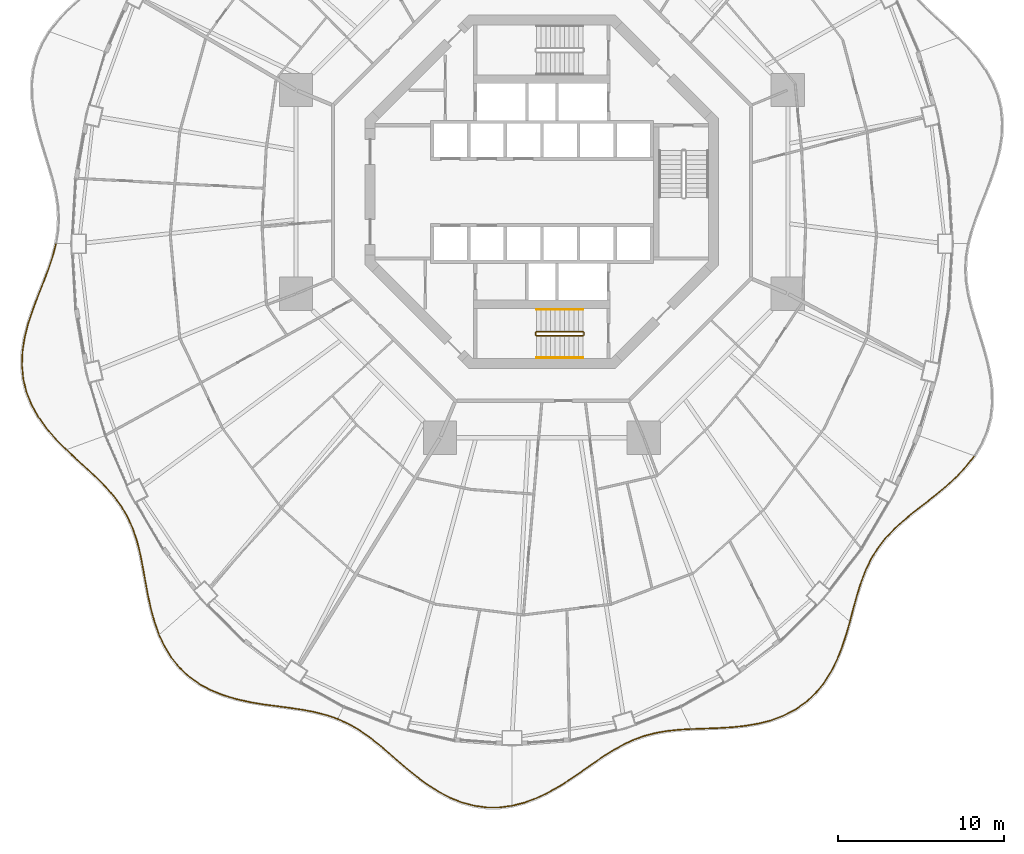
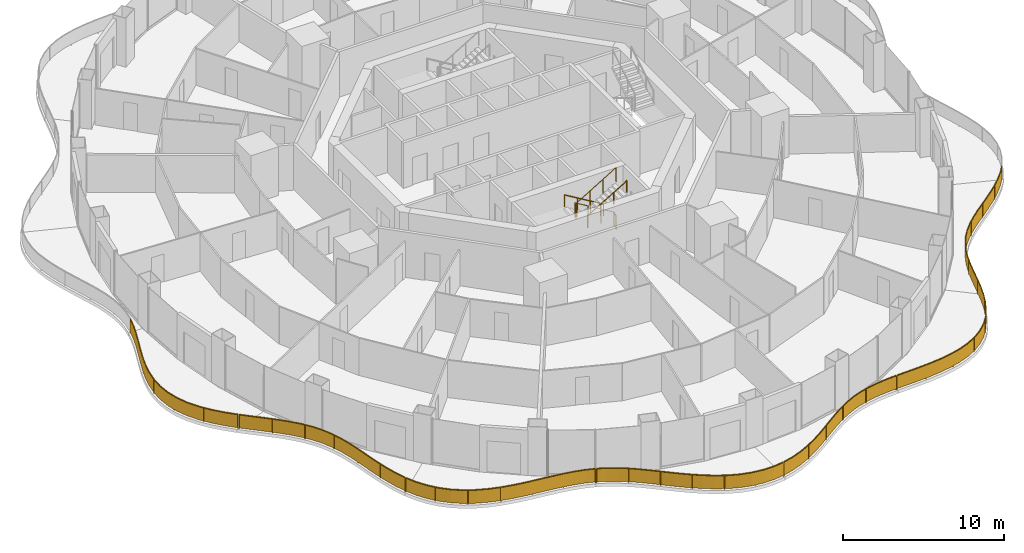
# One storey, part 19 of 21: 10 railings.
"""IFC4 building model written with IfcOpenShell, lengths in metres."""

from ifc_helpers import new_model, si_unit, direction, frame, origin, origin_2d, place, context, subcontext, project, spatial, polyline, rectangle, circle, outline, extrude, material, type_object, element, save


model = new_model("IFC4")

# Units and contexts
model_context = context("Model", 3, precision=1e-05, world=origin(), true_north=direction((0.0, 1.0)))
body_context = subcontext(model_context, "Body", "Model", "MODEL_VIEW")
ifc_project = project(units=[si_unit("LENGTHUNIT", "METRE"), si_unit("AREAUNIT", "SQUARE_METRE"), si_unit("VOLUMEUNIT", "CUBIC_METRE"), si_unit("PLANEANGLEUNIT", "RADIAN"), si_unit("MASSUNIT", "GRAM", prefix="KILO")], contexts=[model_context])

# Site, building, storey
site_placement = place(None, origin())
site = spatial("IfcSite", under=ifc_project, at=site_placement, CompositionType="ELEMENT")
building_placement = place(site_placement, origin())
building = spatial("IfcBuilding", under=site, at=building_placement, Name="Nagisa Residences", CompositionType="ELEMENT")
storey_placement = place(building_placement, frame((0.0, 0.0, 138.10009765625)))
storey = spatial("IfcBuildingStorey", under=building, at=storey_placement, Name="L34", CompositionType="ELEMENT", Elevation=138.10009765625)

# Railings
ifc_material_1 = material(Name="Stainless steel 316", Category="steel")
railing_type_1 = type_object("IfcRailingType", Name="BALCONY GUARD 1100", PredefinedType="BALUSTRADE", material=ifc_material_1)
railing_1_placement = place(storey_placement, frame((-29.2158203125, -3.15185546875, 0.0)))
element("IfcRailing", 1, at=railing_1_placement, inside=storey, type_object=railing_type_1, Name="guard:L34:bal08-0", PredefinedType="BALUSTRADE", context=body_context, shape_type="SweptSolid", body=[
    extrude(outline(polyline([(-0.166015625, -0.728515625), (0.024169921875, -0.00634765625), (-0.024169921875, 0.00634765625), (-0.2138671875, -0.71435546875), (-0.473876953125, -1.4873046875), (-0.775146484375, -2.276611328125), (-1.09375, -3.0830078125), (-1.404052734375, -3.906005859375), (-1.68115234375, -4.728515625), (-1.89697265625, -5.5732421875), (-2.0302734375, -6.41943359375), (-2.064697265625, -7.25927734375), (-1.987548828125, -8.083984375), (-1.798095703125, -8.8720703125), (-1.4912109375, -9.643798828125), (-1.0791015625, -10.38037109375), (-0.576904296875, -11.079833984375), (-0.004150390625, -11.742431640625), (0.585693359375, -12.337890625), (0.621337890625, -12.302734375), (0.032470703125, -11.708251953125), (-0.537353515625, -11.048583984375), (-1.03662109375, -10.353515625), (-1.44580078125, -9.622314453125), (-1.750244140625, -8.85693359375), (-1.938232421875, -8.07568359375), (-2.014404296875, -7.2578125), (-1.98046875, -6.42431640625), (-1.84765625, -5.58349609375), (-1.63330078125, -4.74267578125), (-1.356689453125, -3.922607421875), (-1.046875, -3.10107421875), (-0.728271484375, -2.294677734375), (-0.427001953125, -1.50439453125), (-0.166015625, -0.728515625)])), frame((0.0, 0.0, 1.050048828125)), (0.0, 0.0, 1.0), 0.050048828125),
    extrude(outline(polyline([(-0.183349609375, -0.723388671875), (0.0068359375, -0.001708984375), (-0.0068359375, 0.001708984375), (-0.196533203125, -0.719482421875), (-0.45703125, -1.493408203125), (-0.75830078125, -2.283203125), (-1.076904296875, -3.089599609375), (-1.386962890625, -3.911865234375), (-1.6640625, -4.733642578125), (-1.879150390625, -5.576904296875), (-2.012451171875, -6.421142578125), (-2.046630859375, -7.2587890625), (-1.9697265625, -8.0810546875), (-1.78076171875, -8.86669921875), (-1.474853515625, -9.635986328125), (-1.063720703125, -10.37060546875), (-0.562744140625, -11.068603515625), (0.009033203125, -11.72998046875), (0.5986328125, -12.3251953125), (0.6083984375, -12.3154296875), (0.019287109375, -11.720703125), (-0.551513671875, -11.059814453125), (-1.052001953125, -10.36328125), (-1.462158203125, -9.630126953125), (-1.767578125, -8.8623046875), (-1.9560546875, -8.07861328125), (-2.032470703125, -7.25830078125), (-1.998291015625, -6.422607421875), (-1.865478515625, -5.579833984375), (-1.650390625, -4.737548828125), (-1.373779296875, -3.916748046875), (-1.063720703125, -3.094482421875), (-0.7451171875, -2.2880859375), (-0.44384765625, -1.498291015625), (-0.183349609375, -0.723388671875)])), frame((0.0, 0.0, 0.06005859375)), (0.0, 0.0, 1.0), 0.989990234375),
    extrude(rectangle(XDim=0.0400390625, YDim=0.0400390625, at=origin_2d()), origin(), (0.0, 0.0, 1.0), 1.050048828125),
    extrude(rectangle(XDim=0.0400390625, YDim=0.0400390625, at=origin_2d()), frame((-0.6923828125, -2.130126953125, 0.0)), (0.0, 0.0, 1.0), 1.050048828125),
    extrude(rectangle(XDim=0.0400390625, YDim=0.0400390625, at=origin_2d()), frame((-1.485595703125, -4.226806640625, 0.0)), (0.0, 0.0, 1.0), 1.050048828125),
    extrude(rectangle(XDim=0.0400390625, YDim=0.0400390625, at=origin_2d()), frame((-2.00244140625, -6.4033203125, 0.0)), (0.0, 0.0, 1.0), 1.050048828125),
    extrude(rectangle(XDim=0.0400390625, YDim=0.0400390625, at=origin_2d()), frame((-1.831787109375, -8.625244140625, 0.0)), (0.0, 0.0, 1.0), 1.050048828125),
    extrude(rectangle(XDim=0.0400390625, YDim=0.0400390625, at=origin_2d()), frame((-0.86669921875, -10.633056640625, 0.0)), (0.0, 0.0, 1.0), 1.050048828125),
    extrude(rectangle(XDim=0.0400390625, YDim=0.0400390625, at=origin_2d()), frame((0.603515625, -12.3203125, 0.0)), (0.0, 0.0, 1.0), 1.050048828125),
])
railing_2_placement = place(storey_placement, frame((-28.55615234375, -15.524658203125, 0.0)))
element("IfcRailing", 2, at=railing_2_placement, inside=storey, type_object=railing_type_1, Name="guard:L34:bal09-0", PredefinedType="BALUSTRADE", context=body_context, shape_type="SweptSolid", body=[
    extrude(outline(polyline([(0.607666015625, -0.533203125), (0.01708984375, 0.018310546875), (-0.01708984375, -0.018310546875), (0.573486328125, -0.56982421875), (1.19384765625, -1.13720703125), (1.791259765625, -1.697021484375), (2.347412109375, -2.26025390625), (2.84765625, -2.837158203125), (3.2763671875, -3.4248046875), (3.64306640625, -4.057861328125), (3.94287109375, -4.729248046875), (4.18359375, -5.442626953125), (4.37646484375, -6.197265625), (4.529052734375, -6.9765625), (4.6767578125, -7.79736328125), (4.830810546875, -8.63623046875), (5.01171875, -9.47900390625), (5.237548828125, -10.310302734375), (5.5068359375, -11.06884765625), (5.55419921875, -11.05224609375), (5.285400390625, -10.295166015625), (5.060546875, -9.46728515625), (4.880126953125, -8.62646484375), (4.72607421875, -7.78857421875), (4.578369140625, -6.96728515625), (4.42529296875, -6.18603515625), (4.2314453125, -5.428466796875), (3.98974609375, -4.711181640625), (3.6875, -4.034912109375), (3.318359375, -3.3974609375), (2.88671875, -2.805908203125), (2.384033203125, -2.22607421875), (1.826416015625, -1.661376953125), (1.22802734375, -1.1005859375), (0.607666015625, -0.533203125)])), frame((0.0, 0.0, 1.050048828125)), (0.0, 0.0, 1.0), 0.050048828125),
    extrude(outline(polyline([(0.59521484375, -0.54638671875), (0.0048828125, 0.005126953125), (-0.0048828125, -0.005126953125), (0.5859375, -0.556640625), (1.206298828125, -1.1240234375), (1.803955078125, -1.684326171875), (2.360595703125, -2.247802734375), (2.86181640625, -2.825927734375), (3.29150390625, -3.4150390625), (3.658935546875, -4.049560546875), (3.959716796875, -4.72265625), (4.20068359375, -5.4375), (4.39404296875, -6.193115234375), (4.546875, -6.97314453125), (4.694580078125, -7.794189453125), (4.8486328125, -8.6328125), (5.029296875, -9.474853515625), (5.2548828125, -10.304931640625), (5.52392578125, -11.06298828125), (5.537109375, -11.05810546875), (5.26806640625, -10.300537109375), (5.04296875, -9.471435546875), (4.8623046875, -8.6298828125), (4.708251953125, -7.791748046875), (4.560546875, -6.970703125), (4.40771484375, -6.190185546875), (4.21435546875, -5.43359375), (3.972900390625, -4.7177734375), (3.671630859375, -4.043212890625), (3.30322265625, -3.4072265625), (2.87255859375, -2.817138671875), (2.370849609375, -2.238525390625), (1.813720703125, -1.674072265625), (1.215576171875, -1.11376953125), (0.59521484375, -0.54638671875)])), frame((0.0, 0.0, 0.06005859375)), (0.0, 0.0, 1.0), 0.989990234375),
    extrude(rectangle(XDim=0.0400390625, YDim=0.0400390625, at=origin_2d()), origin(), (0.0, 0.0, 1.0), 1.050048828125),
    extrude(rectangle(XDim=0.0400390625, YDim=0.0400390625, at=origin_2d()), frame((1.560791015625, -1.44677734375, 0.0)), (0.0, 0.0, 1.0), 1.050048828125),
    extrude(rectangle(XDim=0.0400390625, YDim=0.0400390625, at=origin_2d()), frame((3.0029296875, -3.0078125, 0.0)), (0.0, 0.0, 1.0), 1.050048828125),
    extrude(rectangle(XDim=0.0400390625, YDim=0.0400390625, at=origin_2d()), frame((4.016357421875, -4.868896484375, 0.0)), (0.0, 0.0, 1.0), 1.050048828125),
    extrude(rectangle(XDim=0.0400390625, YDim=0.0400390625, at=origin_2d()), frame((4.544921875, -6.927490234375, 0.0)), (0.0, 0.0, 1.0), 1.050048828125),
    extrude(rectangle(XDim=0.0400390625, YDim=0.0400390625, at=origin_2d()), frame((4.938720703125, -9.01904296875, 0.0)), (0.0, 0.0, 1.0), 1.050048828125),
    extrude(rectangle(XDim=0.0400390625, YDim=0.0400390625, at=origin_2d()), frame((5.530517578125, -11.060546875, 0.0)), (0.0, 0.0, 1.0), 1.050048828125),
])
railing_3_placement = place(storey_placement, frame((-22.996826171875, -26.656982421875, 0.0)))
element("IfcRailing", 3, at=railing_3_placement, inside=storey, type_object=railing_type_1, Name="guard:L34:bal10-0", PredefinedType="BALUSTRADE", context=body_context, shape_type="SweptSolid", body=[
    extrude(outline(polyline([(0.34130859375, -0.668212890625), (0.022705078125, 0.0107421875), (-0.022705078125, -0.0107421875), (0.29736328125, -0.692138671875), (0.713134765625, -1.362060546875), (1.20556640625, -1.967041015625), (1.7734375, -2.4990234375), (2.411376953125, -2.953857421875), (3.098388671875, -3.320068359375), (3.847412109375, -3.62255859375), (4.6328125, -3.85791015625), (5.440673828125, -4.037841796875), (6.2568359375, -4.17578125), (7.0537109375, -4.27978515625), (7.847900390625, -4.385009765625), (8.616455078125, -4.49951171875), (9.353515625, -4.640625), (10.055908203125, -4.82177734375), (10.685546875, -5.0400390625), (10.7021484375, -4.99267578125), (10.070556640625, -4.77392578125), (9.3642578125, -4.591796875), (8.624755859375, -4.4501953125), (7.854736328125, -4.335205078125), (7.06005859375, -4.22998046875), (6.26416015625, -4.12646484375), (5.450439453125, -3.988525390625), (4.6455078125, -3.8095703125), (3.864013671875, -3.5751953125), (3.119384765625, -3.274658203125), (2.437744140625, -2.911376953125), (1.80517578125, -2.46044921875), (1.2421875, -1.932861328125), (0.754150390625, -1.332763671875), (0.34130859375, -0.668212890625)])), frame((0.0, 0.0, 1.050048828125)), (0.0, 0.0, 1.0), 0.050048828125),
    extrude(outline(polyline([(0.325439453125, -0.6767578125), (0.00634765625, 0.0029296875), (-0.00634765625, -0.0029296875), (0.313232421875, -0.68359375), (0.72802734375, -1.3515625), (1.21875, -1.954833984375), (1.784912109375, -2.485107421875), (2.4208984375, -2.9384765625), (3.10595703125, -3.3037109375), (3.853271484375, -3.60546875), (4.637451171875, -3.840576171875), (5.444091796875, -4.02001953125), (6.259521484375, -4.157958984375), (7.055908203125, -4.26171875), (7.850341796875, -4.366943359375), (8.619384765625, -4.481689453125), (9.357421875, -4.623046875), (10.061279296875, -4.804443359375), (10.691650390625, -5.02294921875), (10.696044921875, -5.009765625), (10.065185546875, -4.791259765625), (9.3603515625, -4.609375), (8.621826171875, -4.468017578125), (7.852294921875, -4.353271484375), (7.057861328125, -4.248046875), (6.261474609375, -4.144287109375), (5.447021484375, -4.00634765625), (4.640869140625, -3.826904296875), (3.858154296875, -3.59228515625), (3.11181640625, -3.291015625), (2.42822265625, -2.9267578125), (1.793701171875, -2.474365234375), (1.22900390625, -1.945068359375), (0.7392578125, -1.34326171875), (0.325439453125, -0.6767578125)])), frame((0.0, 0.0, 0.06005859375)), (0.0, 0.0, 1.0), 0.989990234375),
    extrude(rectangle(XDim=0.0400390625, YDim=0.0400390625, at=origin_2d()), origin(), (0.0, 0.0, 1.0), 1.050048828125),
    extrude(rectangle(XDim=0.0400390625, YDim=0.0400390625, at=origin_2d()), frame((1.0732421875, -1.7646484375, 0.0)), (0.0, 0.0, 1.0), 1.050048828125),
    extrude(rectangle(XDim=0.0400390625, YDim=0.0400390625, at=origin_2d()), frame((2.672607421875, -3.064697265625, 0.0)), (0.0, 0.0, 1.0), 1.050048828125),
    extrude(rectangle(XDim=0.0400390625, YDim=0.0400390625, at=origin_2d()), frame((4.597900390625, -3.8212890625, 0.0)), (0.0, 0.0, 1.0), 1.050048828125),
    extrude(rectangle(XDim=0.0400390625, YDim=0.0400390625, at=origin_2d()), frame((6.636474609375, -4.2001953125, 0.0)), (0.0, 0.0, 1.0), 1.050048828125),
    extrude(rectangle(XDim=0.0400390625, YDim=0.0400390625, at=origin_2d()), frame((8.69091796875, -4.48828125, 0.0)), (0.0, 0.0, 1.0), 1.050048828125),
    extrude(rectangle(XDim=0.0400390625, YDim=0.0400390625, at=origin_2d()), frame((10.69384765625, -5.016357421875, 0.0)), (0.0, 0.0, 1.0), 1.050048828125),
])
railing_4_placement = place(storey_placement, frame((-12.239013671875, -31.6982421875, 0.0)))
element("IfcRailing", 4, at=railing_4_placement, inside=storey, type_object=railing_type_1, Name="guard:L34:bal11-0", PredefinedType="BALUSTRADE", context=body_context, shape_type="SweptSolid", body=[
    extrude(outline(polyline([(0.590576171875, -0.240478515625), (0.01025390625, 0.022705078125), (-0.01025390625, -0.022705078125), (0.567626953125, -0.284912109375), (1.16162109375, -0.62109375), (1.740234375, -1.01220703125), (2.311767578125, -1.45263671875), (2.884765625, -1.931884765625), (3.45068359375, -2.43212890625), (4.0498046875, -2.947265625), (4.671630859375, -3.453369140625), (5.31982421875, -3.932373046875), (5.99560546875, -4.365478515625), (6.6826171875, -4.732177734375), (7.409423828125, -5.02294921875), (8.1572265625, -5.223876953125), (8.91845703125, -5.326171875), (9.686279296875, -5.32763671875), (10.40380859375, -5.23388671875), (10.3974609375, -5.18408203125), (9.682861328125, -5.27734375), (8.921875, -5.2763671875), (8.1669921875, -5.174560546875), (7.425048828125, -4.9755859375), (6.70361328125, -4.686767578125), (6.02099609375, -4.322021484375), (5.34814453125, -3.891357421875), (4.702392578125, -3.413818359375), (4.08203125, -2.90869140625), (3.4833984375, -2.39453125), (2.91748046875, -1.893798828125), (2.343017578125, -1.41357421875), (1.76953125, -0.9716796875), (1.18798828125, -0.57861328125), (0.590576171875, -0.240478515625)])), frame((0.0, 0.0, 1.050048828125)), (0.0, 0.0, 1.0), 0.050048828125),
    extrude(outline(polyline([(0.582275390625, -0.25634765625), (0.0029296875, 0.00634765625), (-0.0029296875, -0.00634765625), (0.575927734375, -0.26904296875), (1.171142578125, -0.605712890625), (1.750732421875, -0.99755859375), (2.322998046875, -1.4384765625), (2.896484375, -1.918212890625), (3.46240234375, -2.418701171875), (4.0615234375, -2.933349609375), (4.6826171875, -3.439208984375), (5.330078125, -3.917724609375), (6.004638671875, -4.349853515625), (6.690185546875, -4.7158203125), (7.4150390625, -5.005859375), (8.16064453125, -5.2060546875), (8.919677734375, -5.308349609375), (9.68505859375, -5.3095703125), (10.401611328125, -5.2158203125), (10.399658203125, -5.2021484375), (9.68408203125, -5.29541015625), (8.920654296875, -5.294189453125), (8.16357421875, -5.1923828125), (7.41943359375, -4.99267578125), (6.696044921875, -4.703125), (6.011962890625, -4.337646484375), (5.337890625, -3.906005859375), (4.69140625, -3.427978515625), (4.0703125, -2.922607421875), (3.4716796875, -2.407958984375), (2.90576171875, -1.907470703125), (2.331787109375, -1.427734375), (1.759033203125, -0.986328125), (1.178466796875, -0.593994140625), (0.582275390625, -0.25634765625)])), frame((0.0, 0.0, 0.06005859375)), (0.0, 0.0, 1.0), 0.989990234375),
    extrude(rectangle(XDim=0.0400390625, YDim=0.0400390625, at=origin_2d()), origin(), (0.0, 0.0, 1.0), 1.050048828125),
    extrude(rectangle(XDim=0.0400390625, YDim=0.0400390625, at=origin_2d()), frame((1.74072265625, -0.982421875, 0.0)), (0.0, 0.0, 1.0), 1.050048828125),
    extrude(rectangle(XDim=0.0400390625, YDim=0.0400390625, at=origin_2d()), frame((3.28759765625, -2.254638671875, 0.0)), (0.0, 0.0, 1.0), 1.050048828125),
    extrude(rectangle(XDim=0.0400390625, YDim=0.0400390625, at=origin_2d()), frame((4.82666015625, -3.536865234375, 0.0)), (0.0, 0.0, 1.0), 1.050048828125),
    extrude(rectangle(XDim=0.0400390625, YDim=0.0400390625, at=origin_2d()), frame((6.5126953125, -4.613037109375, 0.0)), (0.0, 0.0, 1.0), 1.050048828125),
    extrude(rectangle(XDim=0.0400390625, YDim=0.0400390625, at=origin_2d()), frame((8.40771484375, -5.232177734375, 0.0)), (0.0, 0.0, 1.0), 1.050048828125),
    extrude(rectangle(XDim=0.0400390625, YDim=0.0400390625, at=origin_2d()), frame((10.400634765625, -5.208984375, 0.0)), (0.0, 0.0, 1.0), 1.050048828125),
])
railing_5_placement = place(storey_placement, frame((-1.762451171875, -36.892333984375, 0.0)))
element("IfcRailing", 5, at=railing_5_placement, inside=storey, type_object=railing_type_1, Name="guard:L34:bal12-0", PredefinedType="BALUSTRADE", context=body_context, shape_type="SweptSolid", body=[
    extrude(outline(polyline([(0.701171875, 0.20556640625), (-0.006103515625, 0.024169921875), (0.006103515625, -0.024169921875), (0.71630859375, 0.15771484375), (1.459228515625, 0.43408203125), (2.182861328125, 0.780029296875), (2.883544921875, 1.178955078125), (3.561279296875, 1.612548828125), (4.198974609375, 2.05859375), (4.8349609375, 2.50390625), (5.45751953125, 2.928466796875), (6.07275390625, 3.3173828125), (6.688232421875, 3.6591796875), (7.294189453125, 3.940673828125), (7.931640625, 4.16943359375), (8.59033203125, 4.341064453125), (9.274658203125, 4.46044921875), (9.986572265625, 4.536865234375), (10.681884765625, 4.577880859375), (10.678955078125, 4.627685546875), (9.982666015625, 4.586669921875), (9.267822265625, 4.51025390625), (8.57958984375, 4.389892578125), (7.9169921875, 4.21728515625), (7.275146484375, 3.987060546875), (6.665283203125, 3.70361328125), (6.04736328125, 3.3603515625), (5.43017578125, 2.970458984375), (4.806640625, 2.544921875), (4.170166015625, 2.099609375), (3.533447265625, 1.654052734375), (2.857666015625, 1.221923828125), (2.159423828125, 0.824462890625), (1.439697265625, 0.47998046875), (0.701171875, 0.20556640625)])), frame((0.0, 0.0, 1.050048828125)), (0.0, 0.0, 1.0), 0.050048828125),
    extrude(outline(polyline([(0.70654296875, 0.188232421875), (-0.001708984375, 0.0068359375), (0.001708984375, -0.0068359375), (0.7109375, 0.175048828125), (1.4521484375, 0.45068359375), (2.17431640625, 0.796142578125), (2.874267578125, 1.1943359375), (3.55126953125, 1.62744140625), (4.1884765625, 2.073486328125), (4.82470703125, 2.5185546875), (5.44775390625, 2.943603515625), (6.063720703125, 3.332763671875), (6.679931640625, 3.675048828125), (7.287353515625, 3.957275390625), (7.92626953125, 4.186767578125), (8.58642578125, 4.358642578125), (9.272216796875, 4.478515625), (9.985107421875, 4.5546875), (10.680908203125, 4.595703125), (10.679931640625, 4.60986328125), (9.984130859375, 4.56884765625), (9.270263671875, 4.4921875), (8.58349609375, 4.372314453125), (7.92236328125, 4.199951171875), (7.281982421875, 3.970458984375), (6.673583984375, 3.687744140625), (6.056396484375, 3.344970703125), (5.43994140625, 2.955322265625), (4.81689453125, 2.5302734375), (4.1806640625, 2.084716796875), (3.54345703125, 1.63916015625), (2.866943359375, 1.20654296875), (2.16796875, 0.808349609375), (1.44677734375, 0.46337890625), (0.70654296875, 0.188232421875)])), frame((0.0, 0.0, 0.06005859375)), (0.0, 0.0, 1.0), 0.989990234375),
    extrude(rectangle(XDim=0.0400390625, YDim=0.0400390625, at=origin_2d()), origin(), (0.0, 0.0, 1.0), 1.050048828125),
    extrude(rectangle(XDim=0.0400390625, YDim=0.0400390625, at=origin_2d()), frame((2.207275390625, 0.82275390625, 0.0)), (0.0, 0.0, 1.0), 1.050048828125),
    extrude(rectangle(XDim=0.0400390625, YDim=0.0400390625, at=origin_2d()), frame((4.199951171875, 2.08984375, 0.0)), (0.0, 0.0, 1.0), 1.050048828125),
    extrude(rectangle(XDim=0.0400390625, YDim=0.0400390625, at=origin_2d()), frame((6.167236328125, 3.3984375, 0.0)), (0.0, 0.0, 1.0), 1.050048828125),
    extrude(rectangle(XDim=0.0400390625, YDim=0.0400390625, at=origin_2d()), frame((8.3408203125, 4.302001953125, 0.0)), (0.0, 0.0, 1.0), 1.050048828125),
    extrude(rectangle(XDim=0.0400390625, YDim=0.0400390625, at=origin_2d()), frame((10.680419921875, 4.602783203125, 0.0)), (0.0, 0.0, 1.0), 1.050048828125),
])
railing_6_placement = place(storey_placement, frame((8.992431640625, -32.2880859375, 0.0)))
element("IfcRailing", 6, at=railing_6_placement, inside=storey, type_object=railing_type_1, Name="guard:L34:bal13-0", PredefinedType="BALUSTRADE", context=body_context, shape_type="SweptSolid", body=[
    extrude(outline(polyline([(0.748291015625, 0.050537109375), (-0.0009765625, 0.02490234375), (0.0009765625, -0.02490234375), (0.750244140625, 0.000732421875), (1.564453125, 0.031005859375), (2.389892578125, 0.080078125), (3.21630859375, 0.166015625), (4.029052734375, 0.3046875), (4.80517578125, 0.502197265625), (5.5556640625, 0.78515625), (6.255615234375, 1.151123046875), (6.8955078125, 1.601806640625), (7.46826171875, 2.134521484375), (7.957763671875, 2.731201171875), (8.388916015625, 3.4033203125), (8.753662109375, 4.12744140625), (9.060302734375, 4.888427734375), (9.320068359375, 5.6708984375), (9.53173828125, 6.41650390625), (9.4833984375, 6.43017578125), (9.272216796875, 5.685546875), (9.013427734375, 4.905517578125), (8.708251953125, 4.14794921875), (8.345458984375, 3.42822265625), (7.917236328125, 2.760498046875), (7.431640625, 2.168701171875), (6.86376953125, 1.640869140625), (6.229736328125, 1.194091796875), (5.53515625, 0.8310546875), (4.7900390625, 0.550048828125), (4.018798828125, 0.353515625), (3.20947265625, 0.2158203125), (2.385986328125, 0.1298828125), (1.56201171875, 0.080810546875), (0.748291015625, 0.050537109375)])), frame((0.0, 0.0, 1.050048828125)), (0.0, 0.0, 1.0), 0.050048828125),
    extrude(outline(polyline([(0.7490234375, 0.03271484375), (-0.000244140625, 0.007080078125), (0.000244140625, -0.007080078125), (0.74951171875, 0.0185546875), (1.5634765625, 0.048828125), (2.388427734375, 0.097900390625), (3.2138671875, 0.18408203125), (4.025390625, 0.322265625), (4.7998046875, 0.51953125), (5.54833984375, 0.8017578125), (6.246337890625, 1.16650390625), (6.884033203125, 1.615966796875), (7.455078125, 2.146728515625), (7.943115234375, 2.74169921875), (8.373291015625, 3.412353515625), (8.7373046875, 4.134765625), (9.04345703125, 4.89453125), (9.302734375, 5.67626953125), (9.514404296875, 6.42138671875), (9.500732421875, 6.42529296875), (9.28955078125, 5.68017578125), (9.0302734375, 4.8994140625), (8.724609375, 4.140625), (8.361083984375, 3.419189453125), (7.931884765625, 2.75), (7.44482421875, 2.156494140625), (6.875244140625, 1.626708984375), (6.239013671875, 1.1787109375), (5.54248046875, 0.814453125), (4.79541015625, 0.53271484375), (4.0224609375, 0.3359375), (3.2119140625, 0.19775390625), (2.387451171875, 0.112060546875), (1.56298828125, 0.06298828125), (0.7490234375, 0.03271484375)])), frame((0.0, 0.0, 0.06005859375)), (0.0, 0.0, 1.0), 0.989990234375),
    extrude(rectangle(XDim=0.0400390625, YDim=0.0400390625, at=origin_2d()), origin(), (0.0, 0.0, 1.0), 1.050048828125),
    extrude(rectangle(XDim=0.0400390625, YDim=0.0400390625, at=origin_2d()), frame((2.126953125, 0.08935546875, 0.0)), (0.0, 0.0, 1.0), 1.050048828125),
    extrude(rectangle(XDim=0.0400390625, YDim=0.0400390625, at=origin_2d()), frame((4.232666015625, 0.38232421875, 0.0)), (0.0, 0.0, 1.0), 1.050048828125),
    extrude(rectangle(XDim=0.0400390625, YDim=0.0400390625, at=origin_2d()), frame((6.207275390625, 1.154052734375, 0.0)), (0.0, 0.0, 1.0), 1.050048828125),
    extrude(rectangle(XDim=0.0400390625, YDim=0.0400390625, at=origin_2d()), frame((7.786865234375, 2.562255859375, 0.0)), (0.0, 0.0, 1.0), 1.050048828125),
    extrude(rectangle(XDim=0.0400390625, YDim=0.0400390625, at=origin_2d()), frame((8.83837890625, 4.404052734375, 0.0)), (0.0, 0.0, 1.0), 1.050048828125),
    extrude(rectangle(XDim=0.0400390625, YDim=0.0400390625, at=origin_2d()), frame((9.507568359375, 6.42333984375, 0.0)), (0.0, 0.0, 1.0), 1.050048828125),
])
railing_7_placement = place(storey_placement, frame((18.518798828125, -25.790771484375, 0.0)))
element("IfcRailing", 7, at=railing_7_placement, inside=storey, type_object=railing_type_1, Name="guard:L34:bal14-0", PredefinedType="BALUSTRADE", context=body_context, shape_type="SweptSolid", body=[
    extrude(outline(polyline([(0.18115234375, 0.781005859375), (-0.024169921875, 0.00634765625), (0.024169921875, -0.00634765625), (0.2294921875, 0.767822265625), (0.448974609375, 1.561767578125), (0.687255859375, 2.320556640625), (0.9609375, 3.03662109375), (1.284423828125, 3.706787109375), (1.658935546875, 4.31884765625), (2.106201171875, 4.90234375), (2.61865234375, 5.4521484375), (3.190185546875, 5.978515625), (3.81005859375, 6.492431640625), (4.45654296875, 6.9931640625), (5.12353515625, 7.5185546875), (5.783203125, 8.066162109375), (6.4130859375, 8.64453125), (6.99169921875, 9.26025390625), (7.470947265625, 9.878662109375), (7.431396484375, 9.909423828125), (6.95361328125, 9.29296875), (6.3779296875, 8.68017578125), (5.75048828125, 8.103759765625), (5.09228515625, 7.5576171875), (4.42578125, 7.03271484375), (3.77880859375, 6.531494140625), (3.157470703125, 6.01611328125), (2.58349609375, 5.48779296875), (2.068115234375, 4.9345703125), (1.617431640625, 4.34716796875), (1.240478515625, 3.730712890625), (0.9150390625, 3.056640625), (0.639892578125, 2.337158203125), (0.401123046875, 1.575927734375), (0.18115234375, 0.781005859375)])), frame((0.0, 0.0, 1.050048828125)), (0.0, 0.0, 1.0), 0.050048828125),
    extrude(outline(polyline([(0.198486328125, 0.776123046875), (-0.0068359375, 0.001708984375), (0.0068359375, -0.001708984375), (0.212158203125, 0.772705078125), (0.431884765625, 1.56689453125), (0.670166015625, 2.32666015625), (0.9443359375, 3.0439453125), (1.2685546875, 3.71533203125), (1.64404296875, 4.3291015625), (2.092529296875, 4.913818359375), (2.60595703125, 5.465087890625), (3.178466796875, 5.991943359375), (3.798828125, 6.506591796875), (4.445556640625, 7.00732421875), (5.1123046875, 7.53271484375), (5.771484375, 8.07958984375), (6.400390625, 8.657470703125), (6.97802734375, 9.27197265625), (7.456787109375, 9.8896484375), (7.445556640625, 9.8984375), (6.96728515625, 9.28125), (6.390625, 8.667236328125), (5.76220703125, 8.09033203125), (5.103515625, 7.54345703125), (4.436767578125, 7.0185546875), (3.7900390625, 6.517333984375), (3.169189453125, 6.002685546875), (2.59619140625, 5.474853515625), (2.081787109375, 4.923095703125), (1.63232421875, 4.3369140625), (1.25634765625, 3.72216796875), (0.931640625, 3.04931640625), (0.656982421875, 2.3310546875), (0.418212890625, 1.57080078125), (0.198486328125, 0.776123046875)])), frame((0.0, 0.0, 0.06005859375)), (0.0, 0.0, 1.0), 0.989990234375),
    extrude(rectangle(XDim=0.0400390625, YDim=0.0400390625, at=origin_2d()), origin(), (0.0, 0.0, 1.0), 1.050048828125),
    extrude(rectangle(XDim=0.0400390625, YDim=0.0400390625, at=origin_2d()), frame((0.57373046875, 2.04296875, 0.0)), (0.0, 0.0, 1.0), 1.050048828125),
    extrude(rectangle(XDim=0.0400390625, YDim=0.0400390625, at=origin_2d()), frame((1.423095703125, 3.9814453125, 0.0)), (0.0, 0.0, 1.0), 1.050048828125),
    extrude(rectangle(XDim=0.0400390625, YDim=0.0400390625, at=origin_2d()), frame((2.76171875, 5.617919921875, 0.0)), (0.0, 0.0, 1.0), 1.050048828125),
    extrude(rectangle(XDim=0.0400390625, YDim=0.0400390625, at=origin_2d()), frame((4.39208984375, 6.974853515625, 0.0)), (0.0, 0.0, 1.0), 1.050048828125),
    extrude(rectangle(XDim=0.0400390625, YDim=0.0400390625, at=origin_2d()), frame((6.028564453125, 8.3251953125, 0.0)), (0.0, 0.0, 1.0), 1.050048828125),
    extrude(rectangle(XDim=0.0400390625, YDim=0.0400390625, at=origin_2d()), frame((7.451171875, 9.89404296875, 0.0)), (0.0, 0.0, 1.0), 1.050048828125),
])
ifc_material_2 = material(Name="Stainless steel", Category="steel")
railing_type_2 = type_object("IfcRailingType", Name="Stair guard 1100", PredefinedType="GUARDRAIL", material=ifc_material_2)
railing_8_placement = place(storey_placement, frame((2.52490234375, -8.599609375, 0.0)))
element("IfcRailing", 8, at=railing_8_placement, inside=storey, type_object=railing_type_2, Name="L34 ST-S stair guard 1", PredefinedType="GUARDRAIL", context=body_context, shape_type="SweptSolid", body=[
    extrude(circle(Radius=0.02392578125, at=origin_2d()), frame((0.0, 0.0, 1.076171875), z_axis=(0.0, 1.0, 0.0), x_axis=(-1.0, 0.0, 0.0)), (0.0, 0.0, 1.0), 0.14990234375),
    extrude(circle(Radius=0.02392578125, at=origin_2d()), frame((0.0, 0.14990234375, 1.076171875), z_axis=(-0.273343290215, 0.274683208305, 0.921863645432), x_axis=(-0.708833529934, -0.705375805398, 0.0)), (0.0, 0.0, 1.0), 0.18212890625),
    extrude(circle(Radius=0.02392578125, at=origin_2d()), frame((-0.0498046875, 0.199951171875, 1.244140625), z_axis=(-0.857242210791, 0.0, 0.514913383045), x_axis=(0.0, -1.0, 0.0)), (0.0, 0.0, 1.0), 3.266357421875),
    extrude(circle(Radius=0.02392578125, at=origin_2d()), frame((-2.849853515625, 0.199951171875, 2.92578125), z_axis=(-0.707106781187, -0.707106781187, 0.0), x_axis=(0.707106781187, -0.707106781187, 0.0)), (0.0, 0.0, 1.0), 0.07080078125),
    extrude(circle(Radius=0.02392578125, at=origin_2d()), frame((-2.89990234375, 0.14990234375, 2.92578125), z_axis=(0.0, -1.0, 0.0), x_axis=(1.0, 0.0, 0.0)), (0.0, 0.0, 1.0), 0.14990234375),
    extrude(circle(Radius=0.02392578125, at=origin_2d()), frame((-2.89990234375, 0.0, 2.92578125), z_axis=(0.274243871929, -0.274243871929, 0.92172696468), x_axis=(0.707106781187, 0.707106781187, 0.0)), (0.0, 0.0, 1.0), 0.1826171875),
    extrude(circle(Radius=0.02392578125, at=origin_2d()), frame((-2.849853515625, -0.050048828125, 3.09423828125), z_axis=(0.857242210791, 0.0, 0.514913383045), x_axis=(0.0, 1.0, 0.0)), (0.0, 0.0, 1.0), 3.266357421875),
    extrude(circle(Radius=0.02099609375, at=origin_2d()), origin(), (0.0, 0.0, 1.0), 1.052001953125),
    extrude(circle(Radius=0.02099609375, at=origin_2d()), frame((0.0, 0.14990234375, 0.0)), (0.0, 0.0, 1.0), 1.052001953125),
    extrude(circle(Radius=0.02099609375, at=origin_2d()), frame((-0.0498046875, 0.199951171875, 0.16796875)), (0.0, 0.0, 1.0), 1.052001953125),
    extrude(circle(Radius=0.02099609375, at=origin_2d()), frame((-0.983154296875, 0.199951171875, 0.728515625)), (0.0, 0.0, 1.0), 1.052001953125),
    extrude(circle(Radius=0.02099609375, at=origin_2d()), frame((-1.91650390625, 0.199951171875, 1.289306640625)), (0.0, 0.0, 1.0), 1.052001953125),
    extrude(circle(Radius=0.02099609375, at=origin_2d()), frame((-2.849853515625, 0.199951171875, 1.849853515625)), (0.0, 0.0, 1.0), 1.052001953125),
    extrude(circle(Radius=0.02099609375, at=origin_2d()), frame((-2.89990234375, 0.14990234375, 1.849853515625)), (0.0, 0.0, 1.0), 1.052001953125),
    extrude(circle(Radius=0.02099609375, at=origin_2d()), frame((-2.89990234375, 0.0, 1.849853515625)), (0.0, 0.0, 1.0), 1.052001953125),
    extrude(circle(Radius=0.02099609375, at=origin_2d()), frame((-2.849853515625, -0.050048828125, 2.01806640625)), (0.0, 0.0, 1.0), 1.052001953125),
    extrude(circle(Radius=0.02099609375, at=origin_2d()), frame((-1.91650390625, -0.050048828125, 2.57861328125)), (0.0, 0.0, 1.0), 1.052001953125),
    extrude(circle(Radius=0.02099609375, at=origin_2d()), frame((-0.983154296875, -0.050048828125, 3.139404296875)), (0.0, 0.0, 1.0), 1.052001953125),
    extrude(circle(Radius=0.02099609375, at=origin_2d()), frame((-0.0498046875, -0.050048828125, 3.699951171875)), (0.0, 0.0, 1.0), 1.052001953125),
])
ifc_material_3 = material(Name="Stainless steel", Category="steel")
railing_type_3 = type_object("IfcRailingType", Name="Stair handrail 900", PredefinedType="HANDRAIL", material=ifc_material_3)
railing_9_placement = place(storey_placement, frame((2.47509765625, -7.07470703125, 0.16796875)))
element("IfcRailing", 9, at=railing_9_placement, inside=storey, type_object=railing_type_3, Name="L34 ST-S stair handrail 1", PredefinedType="HANDRAIL", context=body_context, shape_type="SweptSolid", body=[
    extrude(circle(Radius=0.02392578125, at=origin_2d()), frame((0.0, 0.0, 0.8759765625), z_axis=(-0.857242210791, 0.0, 0.514913383045), x_axis=(0.0, -1.0, 0.0)), (0.0, 0.0, 1.0), 3.266357421875),
    extrude(circle(Radius=0.02099609375, at=origin_2d()), origin(), (0.0, 0.0, 1.0), 0.851806640625),
    extrude(circle(Radius=0.02099609375, at=origin_2d()), frame((-0.933349609375, 0.0, 0.560546875)), (0.0, 0.0, 1.0), 0.851806640625),
    extrude(circle(Radius=0.02099609375, at=origin_2d()), frame((-1.86669921875, 0.0, 1.121337890625)), (0.0, 0.0, 1.0), 0.851806640625),
    extrude(circle(Radius=0.02099609375, at=origin_2d()), frame((-2.800048828125, 0.0, 1.681884765625)), (0.0, 0.0, 1.0), 0.851806640625),
])
railing_10_placement = place(storey_placement, frame((-0.324951171875, -9.974609375, 2.01806640625)))
element("IfcRailing", 10, at=railing_10_placement, inside=storey, type_object=railing_type_3, Name="L34 ST-S stair handrail 2", PredefinedType="HANDRAIL", context=body_context, shape_type="SweptSolid", body=[
    extrude(circle(Radius=0.02392578125, at=origin_2d()), frame((0.0, 0.0, 0.8759765625), z_axis=(0.857242210791, 0.0, 0.514913383045), x_axis=(0.0, 1.0, 0.0)), (0.0, 0.0, 1.0), 3.266357421875),
    extrude(circle(Radius=0.02099609375, at=origin_2d()), origin(), (0.0, 0.0, 1.0), 0.851806640625),
    extrude(circle(Radius=0.02099609375, at=origin_2d()), frame((0.933349609375, 0.0, 0.560546875)), (0.0, 0.0, 1.0), 0.851806640625),
    extrude(circle(Radius=0.02099609375, at=origin_2d()), frame((1.86669921875, 0.0, 1.121337890625)), (0.0, 0.0, 1.0), 0.851806640625),
    extrude(circle(Radius=0.02099609375, at=origin_2d()), frame((2.800048828125, 0.0, 1.681884765625)), (0.0, 0.0, 1.0), 0.851806640625),
])

save(model, "model.ifc")
